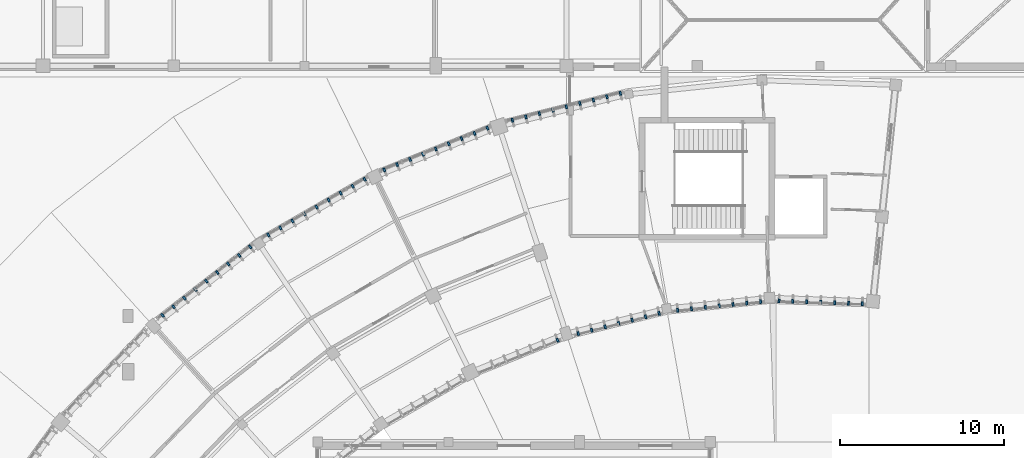
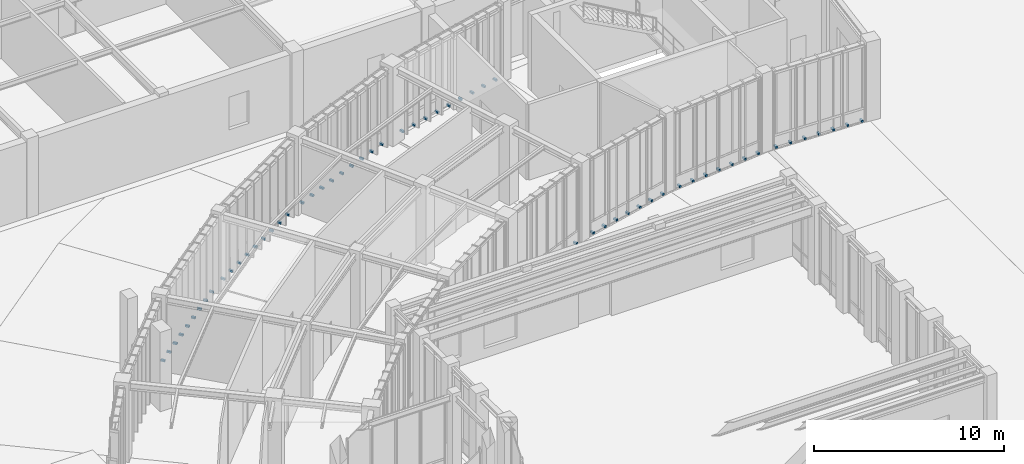
# One storey, part 53 of 68: 58 discrete accessories.
"""IFC4 building model written with IfcOpenShell, lengths in metres."""

from ifc_helpers import new_model, si_unit, direction, frame, origin, origin_2d, place, context, subcontext, project, spatial, rectangle, extrude, material, type_object, element, save


model = new_model("IFC4")

# Units and contexts
model_context = context("Model", 3, precision=1e-05, world=origin(), true_north=direction((0.0, 1.0)))
body_context = subcontext(model_context, "Body", "Model", "MODEL_VIEW")
ifc_project = project(units=[si_unit("LENGTHUNIT", "METRE"), si_unit("AREAUNIT", "SQUARE_METRE"), si_unit("VOLUMEUNIT", "CUBIC_METRE"), si_unit("PLANEANGLEUNIT", "RADIAN"), si_unit("MASSUNIT", "GRAM", prefix="KILO"), si_unit("THERMODYNAMICTEMPERATUREUNIT", "KELVIN"), si_unit("POWERUNIT", "WATT")], contexts=[model_context])

# Site, building, storey
site_placement = place(None, origin())
site = spatial("IfcSite", under=ifc_project, at=site_placement, CompositionType="ELEMENT")
building_placement = place(site_placement, origin())
building = spatial("IfcBuilding", under=site, at=building_placement, Name="Solvatero Civic Police Headquarters", CompositionType="ELEMENT")
storey_placement = place(building_placement, origin())
storey = spatial("IfcBuildingStorey", under=building, at=storey_placement, Name="L00", CompositionType="ELEMENT", Elevation=0.0)

# Discrete accessories
ifc_material = material(Name="Steel S355", Category="steel")
discrete_accessory_type = type_object("IfcDiscreteAccessoryType", Name="ACC-BRK-FIN", PredefinedType="BRACKET", material=ifc_material)
for number, where, z_axis, x_axis, name in (
    (1, (98.094482421875, 70.944580078125, 0.0), (0.0, 0.0, 1.0), (-0.999390827019, 0.034899496703, 0.0), "Slab-Edge Fin Bracket 0001"),
    (2, (97.2451171875, 70.97412109375, 0.0), (0.0, 0.0, 1.0), (-0.999390827019, 0.034899496703, 0.0), "Slab-Edge Fin Bracket 0002"),
    (3, (96.3955078125, 71.00390625, 0.0), (0.0, 0.0, 1.0), (-0.999390827019, 0.034899496703, 0.0), "Slab-Edge Fin Bracket 0003"),
    (4, (95.546142578125, 71.033447265625, 0.0), (0.0, 0.0, 1.0), (-0.999390827019, 0.034899496703, 0.0), "Slab-Edge Fin Bracket 0004"),
    (5, (94.696533203125, 71.063232421875, 0.0), (0.0, 0.0, 1.0), (-0.999390827019, 0.034899496703, 0.0), "Slab-Edge Fin Bracket 0005"),
    (6, (93.84716796875, 71.093017578125, 0.0), (0.0, 0.0, 1.0), (-0.999390827019, 0.034899496703, 0.0), "Slab-Edge Fin Bracket 0006"),
    (7, (92.997802734375, 71.12255859375, 0.0), (0.0, 0.0, 1.0), (-0.999390827019, 0.034899496703, 0.0), "Slab-Edge Fin Bracket 0007"),
    (8, (91.874267578125, 71.084716796875, 0.0), (0.0, 0.0, 1.0), (-0.994523719583, -0.10451110557, 0.0), "Slab-Edge Fin Bracket 0008"),
    (9, (91.02880859375, 70.99609375, 0.0), (0.0, 0.0, 1.0), (-0.994523719583, -0.10451110557, 0.0), "Slab-Edge Fin Bracket 0009"),
    (10, (90.18359375, 70.906982421875, 0.0), (0.0, 0.0, 1.0), (-0.994523719583, -0.10451110557, 0.0), "Slab-Edge Fin Bracket 0010"),
    (11, (89.338134765625, 70.818359375, 0.0), (0.0, 0.0, 1.0), (-0.994523719583, -0.10451110557, 0.0), "Slab-Edge Fin Bracket 0011"),
    (12, (88.492919921875, 70.7294921875, 0.0), (0.0, 0.0, 1.0), (-0.994523719583, -0.10451110557, 0.0), "Slab-Edge Fin Bracket 0012"),
    (13, (87.6474609375, 70.640625, 0.0), (0.0, 0.0, 1.0), (-0.994523719583, -0.10451110557, 0.0), "Slab-Edge Fin Bracket 0013"),
    (14, (86.802001953125, 70.5517578125, 0.0), (0.0, 0.0, 1.0), (-0.994523719583, -0.10451110557, 0.0), "Slab-Edge Fin Bracket 0014"),
    (15, (83.296630859375, 83.814453125, 0.0), (0.0, 0.0, 1.0), (-0.970295726276, -0.2419218956, 0.0), "Slab-Edge Fin Bracket 0015"),
    (16, (82.471923828125, 83.60888671875, 0.0), (0.0, 0.0, 1.0), (-0.970295726276, -0.2419218956, 0.0), "Slab-Edge Fin Bracket 0016"),
    (17, (81.647216796875, 83.4033203125, 0.0), (0.0, 0.0, 1.0), (-0.970295726276, -0.2419218956, 0.0), "Slab-Edge Fin Bracket 0017"),
    (18, (80.822509765625, 83.197509765625, 0.0), (0.0, 0.0, 1.0), (-0.970295726276, -0.2419218956, 0.0), "Slab-Edge Fin Bracket 0018"),
    (19, (79.99755859375, 82.991943359375, 0.0), (0.0, 0.0, 1.0), (-0.970295726276, -0.2419218956, 0.0), "Slab-Edge Fin Bracket 0019"),
    (20, (79.1728515625, 82.786376953125, 0.0), (0.0, 0.0, 1.0), (-0.970295726276, -0.2419218956, 0.0), "Slab-Edge Fin Bracket 0020"),
    (21, (78.34814453125, 82.580810546875, 0.0), (0.0, 0.0, 1.0), (-0.970295726276, -0.2419218956, 0.0), "Slab-Edge Fin Bracket 0021"),
    (22, (77.5234375, 82.375, 0.0), (0.0, 0.0, 1.0), (-0.970295726276, -0.2419218956, 0.0), "Slab-Edge Fin Bracket 0022"),
    (23, (76.698486328125, 82.16943359375, 0.0), (0.0, 0.0, 1.0), (-0.970295726276, -0.2419218956, 0.0), "Slab-Edge Fin Bracket 0023"),
    (24, (85.668701171875, 70.3623046875, 0.0), (0.0, 0.0, 1.0), (-0.970295726276, -0.2419218956, 0.0), "Slab-Edge Fin Bracket 0024"),
    (25, (84.843994140625, 70.15673828125, 0.0), (0.0, 0.0, 1.0), (-0.970295726276, -0.2419218956, 0.0), "Slab-Edge Fin Bracket 0025"),
    (26, (84.019287109375, 69.951171875, 0.0), (0.0, 0.0, 1.0), (-0.970295726276, -0.2419218956, 0.0), "Slab-Edge Fin Bracket 0026"),
    (27, (83.194580078125, 69.745361328125, 0.0), (0.0, 0.0, 1.0), (-0.970295726276, -0.2419218956, 0.0), "Slab-Edge Fin Bracket 0027"),
    (28, (82.369873046875, 69.539794921875, 0.0), (0.0, 0.0, 1.0), (-0.970295726276, -0.2419218956, 0.0), "Slab-Edge Fin Bracket 0028"),
    (29, (81.545166015625, 69.334228515625, 0.0), (0.0, 0.0, 1.0), (-0.970295726276, -0.2419218956, 0.0), "Slab-Edge Fin Bracket 0029"),
    (30, (80.72021484375, 69.128662109375, 0.0), (0.0, 0.0, 1.0), (-0.970295726276, -0.2419218956, 0.0), "Slab-Edge Fin Bracket 0030"),
    (31, (75.169189453125, 81.6875, 0.0), (0.0, 0.0, 1.0), (-0.927183854567, -0.374606593416, 0.0), "Slab-Edge Fin Bracket 0031"),
    (32, (74.381103515625, 81.368896484375, 0.0), (0.0, 0.0, 1.0), (-0.927183854567, -0.374606593416, 0.0), "Slab-Edge Fin Bracket 0032"),
    (33, (73.593017578125, 81.050537109375, 0.0), (0.0, 0.0, 1.0), (-0.927183854567, -0.374606593416, 0.0), "Slab-Edge Fin Bracket 0033"),
    (34, (72.804931640625, 80.732177734375, 0.0), (0.0, 0.0, 1.0), (-0.927183854567, -0.374606593416, 0.0), "Slab-Edge Fin Bracket 0034"),
    (35, (72.016845703125, 80.413818359375, 0.0), (0.0, 0.0, 1.0), (-0.927183854567, -0.374606593416, 0.0), "Slab-Edge Fin Bracket 0035"),
    (36, (71.228759765625, 80.095458984375, 0.0), (0.0, 0.0, 1.0), (-0.927183854567, -0.374606593416, 0.0), "Slab-Edge Fin Bracket 0036"),
    (37, (70.440673828125, 79.77685546875, 0.0), (0.0, 0.0, 1.0), (-0.927183854567, -0.374606593416, 0.0), "Slab-Edge Fin Bracket 0037"),
    (38, (69.65234375, 79.45849609375, 0.0), (0.0, 0.0, 1.0), (-0.927183854567, -0.374606593416, 0.0), "Slab-Edge Fin Bracket 0038"),
    (39, (68.8642578125, 79.14013671875, 0.0), (0.0, 0.0, 1.0), (-0.927183854567, -0.374606593416, 0.0), "Slab-Edge Fin Bracket 0039"),
    (40, (79.4599609375, 68.724365234375, 0.0), (0.0, 0.0, 1.0), (-0.927183854567, -0.374606593416, 0.0), "Slab-Edge Fin Bracket 0040"),
    (41, (67.667236328125, 78.56201171875, 0.0), (0.0, 0.0, 1.0), (-0.866034130299, -0.499984884929, 0.0), "Slab-Edge Fin Bracket 0046"),
    (42, (66.93115234375, 78.13720703125, 0.0), (0.0, 0.0, 1.0), (-0.866034130299, -0.499984884929, 0.0), "Slab-Edge Fin Bracket 0047"),
    (43, (66.195068359375, 77.712158203125, 0.0), (0.0, 0.0, 1.0), (-0.866034130299, -0.499984884929, 0.0), "Slab-Edge Fin Bracket 0048"),
    (44, (65.458740234375, 77.287109375, 0.0), (0.0, 0.0, 1.0), (-0.866034130299, -0.499984884929, 0.0), "Slab-Edge Fin Bracket 0049"),
    (45, (64.72265625, 76.862060546875, 0.0), (0.0, 0.0, 1.0), (-0.866034130299, -0.499984884929, 0.0), "Slab-Edge Fin Bracket 0050"),
    (46, (63.986572265625, 76.43701171875, 0.0), (0.0, 0.0, 1.0), (-0.866034130299, -0.499984884929, 0.0), "Slab-Edge Fin Bracket 0051"),
    (47, (63.25048828125, 76.01220703125, 0.0), (0.0, 0.0, 1.0), (-0.866034130299, -0.499984884929, 0.0), "Slab-Edge Fin Bracket 0052"),
    (48, (62.514404296875, 75.587158203125, 0.0), (0.0, 0.0, 1.0), (-0.866034130299, -0.499984884929, 0.0), "Slab-Edge Fin Bracket 0053"),
    (49, (61.7783203125, 75.162109375, 0.0), (0.0, 0.0, 1.0), (-0.866034130299, -0.499984884929, 0.0), "Slab-Edge Fin Bracket 0054"),
    (50, (60.66748046875, 74.431884765625, 0.0), (0.0, 0.0, 1.0), (-0.788010753607, -0.615661475326, 0.0), "Slab-Edge Fin Bracket 0061"),
    (51, (59.99755859375, 73.90869140625, 0.0), (0.0, 0.0, 1.0), (-0.788010753607, -0.615661475326, 0.0), "Slab-Edge Fin Bracket 0062"),
    (52, (59.327880859375, 73.38525390625, 0.0), (0.0, 0.0, 1.0), (-0.788010753607, -0.615661475326, 0.0), "Slab-Edge Fin Bracket 0063"),
    (53, (58.657958984375, 72.862060546875, 0.0), (0.0, 0.0, 1.0), (-0.788010753607, -0.615661475326, 0.0), "Slab-Edge Fin Bracket 0064"),
    (54, (57.988037109375, 72.338623046875, 0.0), (0.0, 0.0, 1.0), (-0.788010753607, -0.615661475326, 0.0), "Slab-Edge Fin Bracket 0065"),
    (55, (57.318359375, 71.8154296875, 0.0), (0.0, 0.0, 1.0), (-0.788010753607, -0.615661475326, 0.0), "Slab-Edge Fin Bracket 0066"),
    (56, (56.6484375, 71.2919921875, 0.0), (0.0, 0.0, 1.0), (-0.788010753607, -0.615661475326, 0.0), "Slab-Edge Fin Bracket 0067"),
    (57, (55.978759765625, 70.768798828125, 0.0), (0.0, 0.0, 1.0), (-0.788010753607, -0.615661475326, 0.0), "Slab-Edge Fin Bracket 0068"),
    (58, (55.308837890625, 70.24560546875, 0.0), (0.0, 0.0, 1.0), (-0.788010753607, -0.615661475326, 0.0), "Slab-Edge Fin Bracket 0069"),
):
    element("IfcDiscreteAccessory", number, at=place(storey_placement, frame(where, z_axis=z_axis, x_axis=x_axis)), inside=storey, type_object=discrete_accessory_type, Name=name, PredefinedType="BRACKET", context=body_context, shape_type="SweptSolid", body=[
        extrude(rectangle(XDim=0.1201171875, YDim=0.239990234375, at=origin_2d()), origin(), (0.0, 0.0, 1.0), 0.1201171875),
    ])

save(model, "model.ifc")
